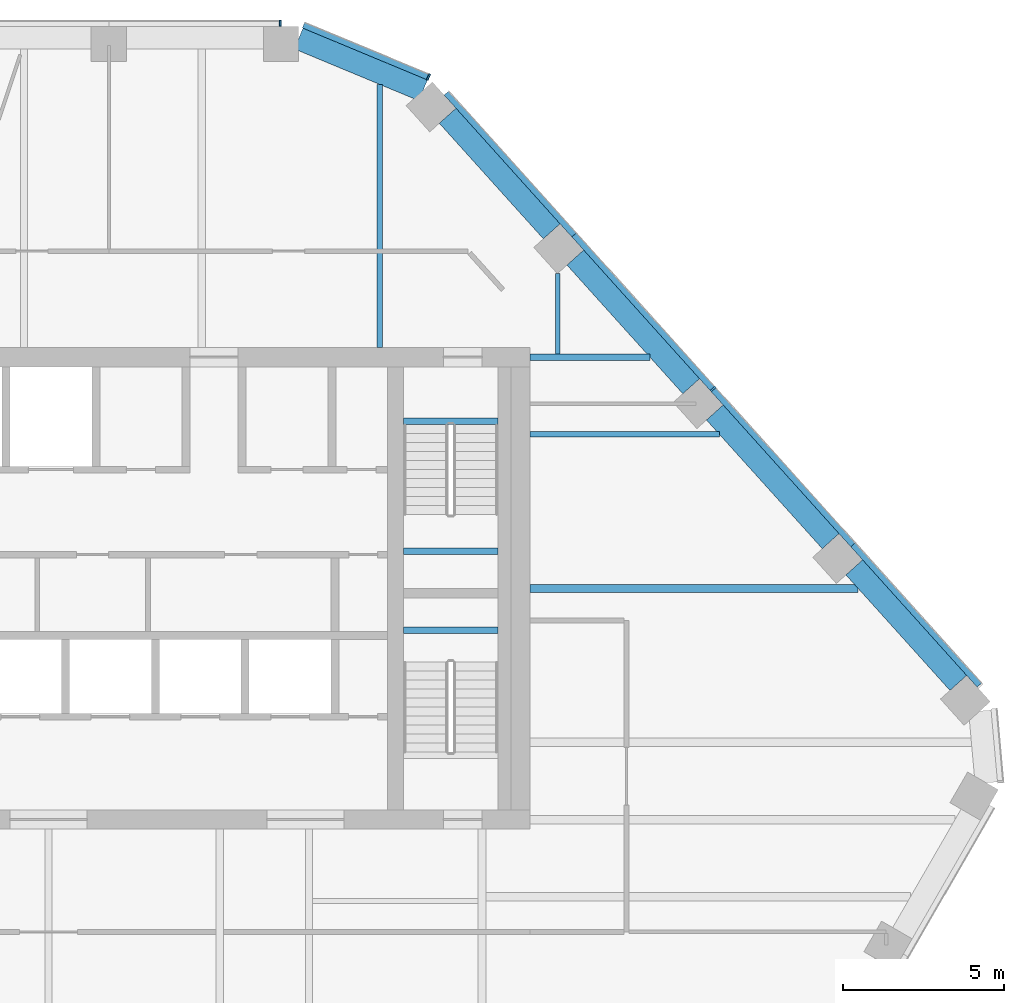
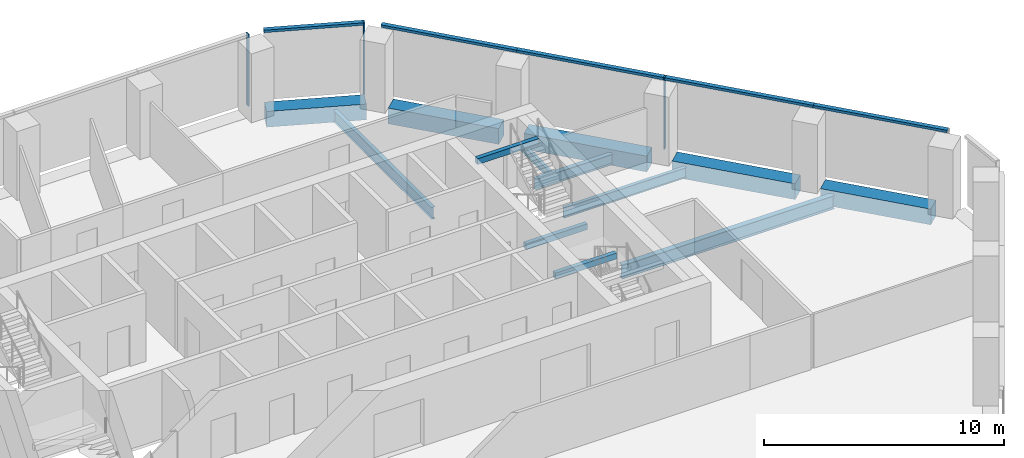
# One storey, part 7 of 15: 13 beams, 8 members, 3 elements without a shape of their own.
"""IFC4 building model written with IfcOpenShell, lengths in metres."""

from ifc_helpers import new_model, si_unit, direction, frame, origin, origin_2d, place, context, subcontext, project, spatial, rectangle, i_section, extrude, material, layer, layer_set, material_profile, profile_set, type_object, element, aggregate, save


model = new_model("IFC4")

# Units and contexts
model_context = context("Model", 3, precision=1e-05, world=origin(), true_north=direction((0.0, 1.0)))
body_context = subcontext(model_context, "Body", "Model", "MODEL_VIEW")
ifc_project = project(units=[si_unit("LENGTHUNIT", "METRE"), si_unit("AREAUNIT", "SQUARE_METRE"), si_unit("VOLUMEUNIT", "CUBIC_METRE"), si_unit("PLANEANGLEUNIT", "RADIAN"), si_unit("MASSUNIT", "GRAM", prefix="KILO")], contexts=[model_context])

# Site, building, storey
site_placement = place(None, origin())
site = spatial("IfcSite", under=ifc_project, at=site_placement, CompositionType="ELEMENT")
building_placement = place(site_placement, origin())
building = spatial("IfcBuilding", under=site, at=building_placement, Name="Isthmus Gate Tower", CompositionType="ELEMENT")
storey_placement = place(building_placement, frame((0.0, 0.0, 223.60009765625)))
storey = spatial("IfcBuildingStorey", under=building, at=storey_placement, Name="L56", CompositionType="ELEMENT", Elevation=223.60009765625)

# Curtain wall, member
ifc_material_1 = material(Name="Aluminium, pale champagne anodised", Category="aluminium")
ifc_layer = layer(ifc_material_1, 0.199951171875)
ifc_layer_set = layer_set([ifc_layer], Name="CW-1 UNITISED CURTAIN WALL 200 DEEP")
curtain_wall_type = type_object("IfcCurtainWallType", Name="CW-1 UNITISED CURTAIN WALL 200 DEEP", PredefinedType="NOTDEFINED", material=ifc_layer_set)
curtain_wall_1_placement = place(storey_placement, origin())
curtain_wall_1 = element("IfcCurtainWall", 1, at=curtain_wall_1_placement, inside=storey, type_object=curtain_wall_type, Name="CW-1 N L56", PredefinedType="NOTDEFINED")
ifc_material_2 = material(Name="Aluminium, pale champagne anodised", Category="aluminium")
ifc_material_profile_1 = material_profile(ifc_material_2, rectangle(XDim=0.06005859375, YDim=0.199951171875, at=origin_2d()), Name="60x200")
ifc_profile_set_1 = profile_set([ifc_material_profile_1], Name="Aluminium, pale champagne anodised")
member_type_1 = type_object("IfcMemberType", Name="CW-1 MULLION 60 X 200", PredefinedType="MULLION", material=ifc_profile_set_1)
member_1_placement = place(storey_placement, frame((7.211181640625, 25.10009765625, 0.0), z_axis=(0.0, 0.0, 1.0), x_axis=(-1.0, 0.0, 0.0)))
member_1 = element("IfcMember", 2, at=member_1_placement, type_object=member_type_1, Name="CW-1 mullion", PredefinedType="MULLION", context=body_context, shape_type="SweptSolid", body=[
    extrude(rectangle(XDim=0.06005859375, YDim=0.199951171875, at=origin_2d()), origin(), (0.0, 0.0, 1.0), 3.64990234375),
])
aggregate(curtain_wall_1, [member_1])

curtain_wall_2_placement = place(storey_placement, origin())
curtain_wall_2 = element("IfcCurtainWall", 3, at=curtain_wall_2_placement, inside=storey, type_object=curtain_wall_type, Name="CW-1 NE L56", PredefinedType="NOTDEFINED")
member_2_placement = place(storey_placement, frame((20.696533203125, 13.709228515625, 0.0), z_axis=(0.0, 0.0, 1.0), x_axis=(-0.669130606359, 0.743144825477, 0.0)))
member_2 = element("IfcMember", 4, at=member_2_placement, type_object=member_type_1, Name="CW-1 mullion", PredefinedType="MULLION", context=body_context, shape_type="SweptSolid", body=[
    extrude(rectangle(XDim=0.06005859375, YDim=0.199951171875, at=origin_2d()), origin(), (0.0, 0.0, 1.0), 3.64990234375),
])

curtain_wall_3_placement = place(storey_placement, origin())
curtain_wall_3 = element("IfcCurtainWall", 5, at=curtain_wall_3_placement, inside=storey, type_object=curtain_wall_type, Name="CW-1 NE-N L56", PredefinedType="NOTDEFINED")
member_3_placement = place(storey_placement, frame((11.83349609375, 23.427490234375, 0.0), z_axis=(0.0, 0.0, 1.0), x_axis=(-0.923353128387, 0.383951820282, 0.0)))
member_3 = element("IfcMember", 6, at=member_3_placement, type_object=member_type_1, Name="CW-1 mullion", PredefinedType="MULLION", context=body_context, shape_type="SweptSolid", body=[
    extrude(rectangle(XDim=0.06005859375, YDim=0.199951171875, at=origin_2d()), origin(), (0.0, 0.0, 1.0), 3.64990234375),
])

# Member
ifc_material_3 = material(Name="Aluminium, pale champagne anodised", Category="aluminium")
ifc_material_profile_2 = material_profile(ifc_material_3, rectangle(XDim=0.199951171875, YDim=0.1298828125, at=origin_2d()), Name="200x130")
ifc_profile_set_2 = profile_set([ifc_material_profile_2], Name="Aluminium, pale champagne anodised")
member_type_2 = type_object("IfcMemberType", Name="CW-1 TRANSOM 200 X 130", PredefinedType="USERDEFINED", material=ifc_profile_set_2)
member_4_placement = place(storey_placement, frame((28.99609375, 4.491455078125, 3.5849609375), z_axis=(-0.669134411332, 0.743141399447, 0.0), x_axis=(-0.743141399447, -0.669134411332, 0.0)))
member_4 = element("IfcMember", 7, at=member_4_placement, type_object=member_type_2, Name="CW-1 transom", ObjectType="TRANSOM", PredefinedType="USERDEFINED", context=body_context, shape_type="SweptSolid", body=[
    extrude(rectangle(XDim=0.199951171875, YDim=0.1298828125, at=origin_2d()), origin(), (0.0, 0.0, 1.0), 5.8818359375),
])

member_5_placement = place(storey_placement, frame((25.060302734375, 8.862548828125, 3.5849609375), z_axis=(-0.669112239491, 0.743161362668, 0.0), x_axis=(-0.743161362668, -0.669112239491, 0.0)))
member_5 = element("IfcMember", 8, at=member_5_placement, type_object=member_type_2, Name="CW-1 transom", ObjectType="TRANSOM", PredefinedType="USERDEFINED", context=body_context, shape_type="SweptSolid", body=[
    extrude(rectangle(XDim=0.199951171875, YDim=0.1298828125, at=origin_2d()), origin(), (0.0, 0.0, 1.0), 6.49169921875),
])

member_6_placement = place(storey_placement, frame((20.67626953125, 13.7314453125, 3.5849609375), z_axis=(-0.669128292476, 0.7431469089, 0.0), x_axis=(-0.7431469089, -0.669128292476, 0.0)))
member_6 = element("IfcMember", 9, at=member_6_placement, type_object=member_type_2, Name="CW-1 transom", ObjectType="TRANSOM", PredefinedType="USERDEFINED", context=body_context, shape_type="SweptSolid", body=[
    extrude(rectangle(XDim=0.199951171875, YDim=0.1298828125, at=origin_2d()), origin(), (0.0, 0.0, 1.0), 6.431884765625),
])

member_7_placement = place(storey_placement, frame((16.37255859375, 18.51123046875, 3.5849609375), z_axis=(-0.669116811031, 0.743157246615, 0.0), x_axis=(-0.743157246615, -0.669116811031, 0.0)))
member_7 = element("IfcMember", 10, at=member_7_placement, type_object=member_type_2, Name="CW-1 transom", ObjectType="TRANSOM", PredefinedType="USERDEFINED", context=body_context, shape_type="SweptSolid", body=[
    extrude(rectangle(XDim=0.199951171875, YDim=0.1298828125, at=origin_2d()), origin(), (0.0, 0.0, 1.0), 5.94189453125),
])

aggregate(curtain_wall_2, [member_4, member_5, member_2, member_6, member_7])

member_8_placement = place(storey_placement, frame((11.8056640625, 23.43896484375, 3.5849609375), z_axis=(-0.923358236369, 0.383939536033, 0.0), x_axis=(-0.383939536033, -0.923358236369, 0.0)))
member_8 = element("IfcMember", 11, at=member_8_placement, type_object=member_type_2, Name="CW-1 transom", ObjectType="TRANSOM", PredefinedType="USERDEFINED", context=body_context, shape_type="SweptSolid", body=[
    extrude(rectangle(XDim=0.199951171875, YDim=0.1298828125, at=origin_2d()), origin(), (0.0, 0.0, 1.0), 4.181640625),
])

aggregate(curtain_wall_3, [member_3, member_8])

# Beams
ifc_material_4 = material(Name="Concrete f'c 50 MPa", Category="concrete")
ifc_material_profile_3 = material_profile(ifc_material_4, rectangle(XDim=0.699951171875, YDim=0.800048828125, at=origin_2d()), Name="RC 700X800")
ifc_profile_set_3 = profile_set([ifc_material_profile_3], Name="Concrete f'c 50 MPa")
beam_type_1 = type_object("IfcBeamType", Name="RC SPANDREL 700 X 800", PredefinedType="SPANDREL", material=ifc_profile_set_3)
beam_1_placement = place(storey_placement, frame((7.791015625, 24.620849609375, -0.400146484375), z_axis=(0.923360646135, -0.383933740597, 0.0), x_axis=(0.383933740597, 0.923360646135, 0.0)))
element("IfcBeam", 12, at=beam_1_placement, inside=storey, type_object=beam_type_1, Name="str-spandrel-L56-00", PredefinedType="SPANDREL", context=body_context, shape_type="SweptSolid", body=[
    extrude(rectangle(XDim=0.699951171875, YDim=0.800048828125, at=origin_2d()), origin(), (0.0, 0.0, 1.0), 4.19677734375),
])
beam_2_placement = place(storey_placement, frame((12.43017578125, 22.21728515625, -0.400146484375), z_axis=(0.669129069044, -0.743146209679, 0.0), x_axis=(0.743146209679, 0.669129069044, 0.0)))
element("IfcBeam", 13, at=beam_2_placement, inside=storey, type_object=beam_type_1, Name="str-spandrel-L56-01", PredefinedType="SPANDREL", context=body_context, shape_type="SweptSolid", body=[
    extrude(rectangle(XDim=0.699951171875, YDim=0.800048828125, at=origin_2d()), origin(), (0.0, 0.0, 1.0), 4.842041015625),
])
beam_3_placement = place(storey_placement, frame((16.40625, 17.801513671875, -0.400146484375), z_axis=(0.669122314994, -0.743152290972, 0.0), x_axis=(0.743152290972, 0.669122314994, 0.0)))
element("IfcBeam", 14, at=beam_3_placement, inside=storey, type_object=beam_type_1, Name="str-spandrel-L56-02", PredefinedType="SPANDREL", context=body_context, shape_type="SweptSolid", body=[
    extrude(rectangle(XDim=0.699951171875, YDim=0.800048828125, at=origin_2d()), origin(), (0.0, 0.0, 1.0), 5.39208984375),
])
beam_4_placement = place(storey_placement, frame((20.75, 12.97705078125, -0.400146484375), z_axis=(0.669144830508, -0.743132017749, 0.0), x_axis=(0.743132017749, 0.669144830508, 0.0)))
element("IfcBeam", 15, at=beam_4_placement, inside=storey, type_object=beam_type_1, Name="str-spandrel-L56-03", PredefinedType="SPANDREL", context=body_context, shape_type="SweptSolid", body=[
    extrude(rectangle(XDim=0.699951171875, YDim=0.800048828125, at=origin_2d()), origin(), (0.0, 0.0, 1.0), 5.391845703125),
])
beam_5_placement = place(storey_placement, frame((25.093994140625, 8.152587890625, -0.400146484375), z_axis=(0.669154141686, -0.743123633499, 0.0), x_axis=(0.743123633499, 0.669154141686, 0.0)))
element("IfcBeam", 16, at=beam_5_placement, inside=storey, type_object=beam_type_1, Name="str-spandrel-L56-04", PredefinedType="SPANDREL", context=body_context, shape_type="SweptSolid", body=[
    extrude(rectangle(XDim=0.699951171875, YDim=0.800048828125, at=origin_2d()), origin(), (0.0, 0.0, 1.0), 4.842041015625),
])
ifc_material_5 = material(Name="Concrete f'c 40 MPa", Category="concrete")
ifc_material_profile_4 = material_profile(ifc_material_5, rectangle(XDim=0.199951171875, YDim=0.300048828125, at=origin_2d()), Name="STAIR LANDING BEAM RC 200 X 300")
ifc_profile_set_4 = profile_set([ifc_material_profile_4], Name="Concrete f'c 40 MPa")
beam_type_2 = type_object("IfcBeamType", Name="STAIR LANDING BEAM RC 200 X 300", PredefinedType="BEAM", material=ifc_profile_set_4)
for number, where, z_axis, x_axis, name in (
    (17, (11.050048828125, 8.64990234375, 1.474853515625), (1.0, 0.0, 0.0), (0.0, 1.0, 0.0), "L56 ST2 landing beam 1"),
    (18, (11.050048828125, 12.7001953125, 3.349853515625), (1.0, 0.0, 0.0), (0.0, 1.0, 0.0), "L56 ST2 floor-edge seat beam"),
    (19, (11.050048828125, 6.199951171875, 1.474853515625), (1.0, 0.0, 0.0), (0.0, 1.0, 0.0), "L56 ST8 landing beam 1"),
):
    element("IfcBeam", number, at=place(storey_placement, frame(where, z_axis=z_axis, x_axis=x_axis)), inside=storey, type_object=beam_type_2, Name=name, PredefinedType="BEAM", context=body_context, shape_type="SweptSolid", body=[
        extrude(rectangle(XDim=0.199951171875, YDim=0.300048828125, at=origin_2d()), origin(), (0.0, 0.0, 1.0), 2.949951171875),
    ])
ifc_material_6 = material(Name="Structural steel ASTM A992 Gr 50", Category="steel")
ifc_material_profile_5 = material_profile(ifc_material_6, i_section(OverallWidth=0.1396484375, OverallDepth=0.4033203125, WebThickness=0.00634765625, FlangeThickness=0.010986328125, at=origin_2d()), Name="W16X31")
ifc_profile_set_5 = profile_set([ifc_material_profile_5], Name="Structural steel ASTM A992 Gr 50")
beam_type_3 = type_object("IfcBeamType", Name="STEEL FLOOR BEAM W16X31", PredefinedType="JOIST", material=ifc_profile_set_5)
beam_6_placement = place(storey_placement, frame((15.862060546875, 14.8046875, -0.351806640625), z_axis=(0.0, 1.0, 0.0), x_axis=(-1.0, 0.0, 0.0)))
element("IfcBeam", 20, at=beam_6_placement, inside=storey, type_object=beam_type_3, Name="str-beam-L56-05-06", PredefinedType="JOIST", context=body_context, shape_type="SweptSolid", body=[
    extrude(i_section(OverallWidth=0.1396484375, OverallDepth=0.4033203125, WebThickness=0.00634765625, FlangeThickness=0.010986328125, at=origin_2d()), origin(), (0.0, 0.0, 1.0), 2.5068359375),
])
ifc_material_7 = material(Name="Structural steel ASTM A992 Gr 50", Category="steel")
ifc_material_profile_6 = material_profile(ifc_material_7, i_section(OverallWidth=0.1650390625, OverallDepth=0.52392578125, WebThickness=0.009521484375, FlangeThickness=0.010986328125, at=origin_2d()), Name="W21X44")
ifc_profile_set_6 = profile_set([ifc_material_profile_6], Name="Structural steel ASTM A992 Gr 50")
beam_type_4 = type_object("IfcBeamType", Name="STEEL FLOOR BEAM W21X44", PredefinedType="JOIST", material=ifc_profile_set_6)
beam_7_placement = place(storey_placement, frame((15.0, 12.300048828125, -0.412109375), z_axis=(1.0, 0.0, 0.0), x_axis=(0.0, 1.0, 0.0)))
element("IfcBeam", 21, at=beam_7_placement, inside=storey, type_object=beam_type_4, Name="str-beam-L56-13-02", PredefinedType="JOIST", context=body_context, shape_type="SweptSolid", body=[
    extrude(i_section(OverallWidth=0.1650390625, OverallDepth=0.52392578125, WebThickness=0.009521484375, FlangeThickness=0.010986328125, at=origin_2d()), origin(), (0.0, 0.0, 1.0), 5.888671875),
])
ifc_material_8 = material(Name="Structural steel ASTM A992 Gr 50", Category="steel")
ifc_material_profile_7 = material_profile(ifc_material_8, i_section(OverallWidth=0.177734375, OverallDepth=0.60009765625, WebThickness=0.009521484375, FlangeThickness=0.0126953125, at=origin_2d()), Name="W24X55")
ifc_profile_set_7 = profile_set([ifc_material_profile_7], Name="Structural steel ASTM A992 Gr 50")
beam_type_5 = type_object("IfcBeamType", Name="STEEL FLOOR BEAM W24X55", PredefinedType="JOIST", material=ifc_profile_set_7)
beam_8_placement = place(storey_placement, frame((10.3193359375, 15.0, -0.4501953125), z_axis=(0.0, 1.0, 0.0), x_axis=(-1.0, 0.0, 0.0)))
element("IfcBeam", 22, at=beam_8_placement, inside=storey, type_object=beam_type_5, Name="str-beam-L56-05-05", PredefinedType="JOIST", context=body_context, shape_type="SweptSolid", body=[
    extrude(i_section(OverallWidth=0.177734375, OverallDepth=0.60009765625, WebThickness=0.009521484375, FlangeThickness=0.0126953125, at=origin_2d()), origin(), (0.0, 0.0, 1.0), 8.190673828125),
])
ifc_material_9 = material(Name="Structural steel ASTM A992 Gr 50", Category="steel")
ifc_material_profile_8 = material_profile(ifc_material_9, i_section(OverallWidth=0.25390625, OverallDepth=0.679443359375, WebThickness=0.010986328125, FlangeThickness=0.015869140625, at=origin_2d()), Name="W27X84")
ifc_profile_set_8 = profile_set([ifc_material_profile_8], Name="Structural steel ASTM A992 Gr 50")
beam_type_6 = type_object("IfcBeamType", Name="STEEL FLOOR BEAM W27X84", PredefinedType="JOIST", material=ifc_profile_set_8)
beam_9_placement = place(storey_placement, frame((15.0, 7.5, -0.48974609375), z_axis=(1.0, 0.0, 0.0), x_axis=(0.0, 1.0, 0.0)))
element("IfcBeam", 23, at=beam_9_placement, inside=storey, type_object=beam_type_6, Name="str-beam-L56-13-01", PredefinedType="JOIST", context=body_context, shape_type="SweptSolid", body=[
    extrude(i_section(OverallWidth=0.25390625, OverallDepth=0.679443359375, WebThickness=0.010986328125, FlangeThickness=0.015869140625, at=origin_2d()), origin(), (0.0, 0.0, 1.0), 10.210693359375),
])
ifc_material_10 = material(Name="Structural steel ASTM A992 Gr 50", Category="steel")
ifc_material_profile_9 = material_profile(ifc_material_10, i_section(OverallWidth=0.20947265625, OverallDepth=0.533447265625, WebThickness=0.009521484375, FlangeThickness=0.015869140625, at=origin_2d()), Name="W21X62")
ifc_profile_set_9 = profile_set([ifc_material_profile_9], Name="Structural steel ASTM A992 Gr 50")
beam_type_7 = type_object("IfcBeamType", Name="STEEL GIRDER W21X62", PredefinedType="BEAM", material=ifc_profile_set_9)
beam_10_placement = place(storey_placement, frame((15.0, 14.699951171875, -0.416748046875), z_axis=(1.0, 0.0, 0.0), x_axis=(0.0, 1.0, 0.0)))
element("IfcBeam", 24, at=beam_10_placement, inside=storey, type_object=beam_type_7, Name="str-girder-L56-12", PredefinedType="BEAM", context=body_context, shape_type="SweptSolid", body=[
    extrude(i_section(OverallWidth=0.20947265625, OverallDepth=0.533447265625, WebThickness=0.009521484375, FlangeThickness=0.015869140625, at=origin_2d()), origin(), (0.0, 0.0, 1.0), 3.727783203125),
])

save(model, "model.ifc")
